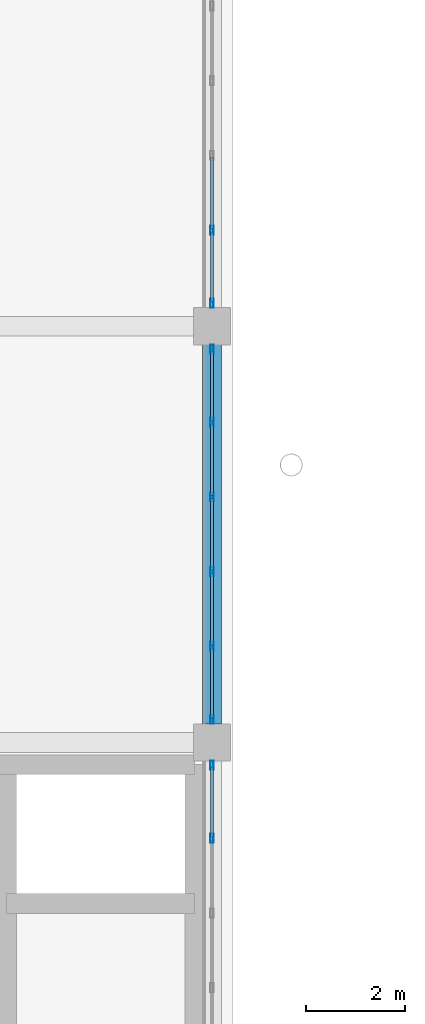
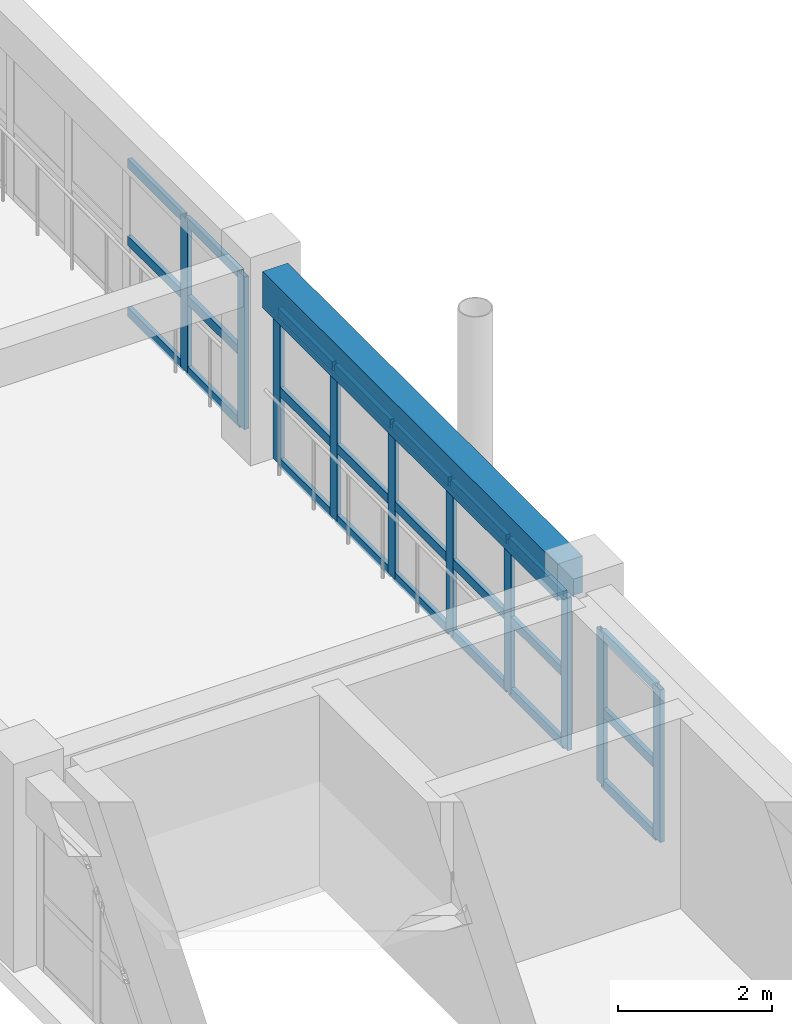
# One storey, part 132 of 200: 34 members, 1 beam, 3 elements without a shape of their own.
"""IFC4 building model written with IfcOpenShell, lengths in metres."""

from ifc_helpers import new_model, si_unit, direction, frame, origin, origin_2d, place, context, subcontext, project, spatial, rectangle, hollow_rectangle, extrude, material, layer, layer_set, material_profile, profile_set, type_object, element, aggregate, save


model = new_model("IFC4")

# Units and contexts
model_context = context("Model", 3, precision=1e-05, world=origin(), true_north=direction((0.0, 1.0)))
body_context = subcontext(model_context, "Body", "Model", "MODEL_VIEW")
ifc_project = project(units=[si_unit("LENGTHUNIT", "METRE"), si_unit("AREAUNIT", "SQUARE_METRE"), si_unit("VOLUMEUNIT", "CUBIC_METRE"), si_unit("PLANEANGLEUNIT", "RADIAN"), si_unit("MASSUNIT", "GRAM", prefix="KILO")], contexts=[model_context])

# Site, building, storey
site_placement = place(None, origin())
site = spatial("IfcSite", under=ifc_project, at=site_placement, CompositionType="ELEMENT")
building_placement = place(site_placement, origin())
building = spatial("IfcBuilding", under=site, at=building_placement, Name="Trelvath General Hospital", CompositionType="ELEMENT")
storey_placement = place(building_placement, frame((0.0, 0.0, 4.800048828125)))
storey = spatial("IfcBuildingStorey", under=building, at=storey_placement, Name="L01", CompositionType="ELEMENT", Elevation=4.800048828125)

# Beam
ifc_material_1 = material(Name="Concrete C35/45", Category="concrete")
ifc_material_profile_1 = material_profile(ifc_material_1, rectangle(XDim=0.3798828125, YDim=0.580078125, at=origin_2d()), Name="RCB380x580")
ifc_profile_set_1 = profile_set([ifc_material_profile_1], Name="Concrete C35/45")
beam_type = type_object("IfcBeamType", Name="Beam RC380x580", PredefinedType="BEAM", material=ifc_profile_set_1)
beam_placement = place(storey_placement, frame((142.800048828125, 33.969970703125, 2.72998046875), z_axis=(0.0, 1.0, 0.0), x_axis=(-1.0, 0.0, 0.0)))
element("IfcBeam", 1, at=beam_placement, inside=storey, type_object=beam_type, Name="Grid Beam BY-117E", PredefinedType="BEAM", context=body_context, shape_type="SweptSolid", body=[
    extrude(rectangle(XDim=0.3798828125, YDim=0.580078125, at=origin_2d()), origin(), (0.0, 0.0, 1.0), 7.659912109375),
])

# Curtain wall, members
ifc_material_2 = material(Name="Anodised aluminium and low-E glass", Category="aluminium")
ifc_layer = layer(ifc_material_2, 0.179931640625)
ifc_layer_set = layer_set([ifc_layer], Name="Anodised aluminium and low-E glass")
curtain_wall_type = type_object("IfcCurtainWallType", Name="CW Facade 754 242 18", PredefinedType="USERDEFINED", material=ifc_layer_set)
curtain_wall_1_placement = place(storey_placement, origin())
curtain_wall_1 = element("IfcCurtainWall", 2, at=curtain_wall_1_placement, inside=storey, type_object=curtain_wall_type, Name="Facade Curtain Wall CW-021", ObjectType="Unitised Glazed Curtain Wall", PredefinedType="USERDEFINED")
ifc_material_3 = material(Name="Anodised aluminium", Category="aluminium")
ifc_material_profile_2 = material_profile(ifc_material_3, hollow_rectangle(XDim=0.06494140625, YDim=0.179931640625, WallThickness=0.0048828125, at=origin_2d()), Name="RHS65x180x5")
ifc_profile_set_2 = profile_set([ifc_material_profile_2], Name="Anodised aluminium")
member_type_1 = type_object("IfcMemberType", Name="CurtainMullion 65x180", PredefinedType="MULLION", material=ifc_profile_set_2)
member_1_placement = place(storey_placement, frame((142.800048828125, 33.137451171875, 0.0), z_axis=(0.0, 0.0, 1.0), x_axis=(1.0, 0.0, 0.0)))
member_1 = element("IfcMember", 3, at=member_1_placement, type_object=member_type_1, Name="CW-021 mullion 1", PredefinedType="MULLION", context=body_context, shape_type="SweptSolid", body=[
    extrude(hollow_rectangle(XDim=0.06494140625, YDim=0.179931640625, WallThickness=0.0048828125, at=origin_2d()), origin(), (0.0, 0.0, 1.0), 2.419921875),
])
member_2_placement = place(storey_placement, frame((142.800048828125, 31.662109375, 0.0), z_axis=(0.0, 0.0, 1.0), x_axis=(1.0, 0.0, 0.0)))
member_2 = element("IfcMember", 4, at=member_2_placement, type_object=member_type_1, Name="CW-021 mullion 2", PredefinedType="MULLION", context=body_context, shape_type="SweptSolid", body=[
    extrude(hollow_rectangle(XDim=0.06494140625, YDim=0.179931640625, WallThickness=0.0048828125, at=origin_2d()), origin(), (0.0, 0.0, 1.0), 2.419921875),
])

curtain_wall_2_placement = place(storey_placement, origin())
curtain_wall_2 = element("IfcCurtainWall", 5, at=curtain_wall_2_placement, inside=storey, type_object=curtain_wall_type, Name="Facade Curtain Wall CW-023", ObjectType="Unitised Glazed Curtain Wall", PredefinedType="USERDEFINED")
member_3_placement = place(storey_placement, frame((142.800048828125, 41.53759765625, 0.0), z_axis=(0.0, 0.0, 1.0), x_axis=(1.0, 0.0, 0.0)))
member_3 = element("IfcMember", 6, at=member_3_placement, type_object=member_type_1, Name="CW-023 mullion 1", PredefinedType="MULLION", context=body_context, shape_type="SweptSolid", body=[
    extrude(hollow_rectangle(XDim=0.06494140625, YDim=0.179931640625, WallThickness=0.0048828125, at=origin_2d()), origin(), (0.0, 0.0, 1.0), 2.419921875),
])
member_4_placement = place(storey_placement, frame((142.800048828125, 40.06201171875, 0.0), z_axis=(0.0, 0.0, 1.0), x_axis=(1.0, 0.0, 0.0)))
member_4 = element("IfcMember", 7, at=member_4_placement, type_object=member_type_1, Name="CW-023 mullion 2", PredefinedType="MULLION", context=body_context, shape_type="SweptSolid", body=[
    extrude(hollow_rectangle(XDim=0.06494140625, YDim=0.179931640625, WallThickness=0.0048828125, at=origin_2d()), origin(), (0.0, 0.0, 1.0), 2.419921875),
])
member_5_placement = place(storey_placement, frame((142.800048828125, 38.553955078125, 0.0), z_axis=(0.0, 0.0, 1.0), x_axis=(1.0, 0.0, 0.0)))
member_5 = element("IfcMember", 8, at=member_5_placement, type_object=member_type_1, Name="CW-023 mullion 3", PredefinedType="MULLION", context=body_context, shape_type="SweptSolid", body=[
    extrude(hollow_rectangle(XDim=0.06494140625, YDim=0.179931640625, WallThickness=0.0048828125, at=origin_2d()), origin(), (0.0, 0.0, 1.0), 2.419921875),
])
member_6_placement = place(storey_placement, frame((142.800048828125, 37.0458984375, 0.0), z_axis=(0.0, 0.0, 1.0), x_axis=(1.0, 0.0, 0.0)))
member_6 = element("IfcMember", 9, at=member_6_placement, type_object=member_type_1, Name="CW-023 mullion 4", PredefinedType="MULLION", context=body_context, shape_type="SweptSolid", body=[
    extrude(hollow_rectangle(XDim=0.06494140625, YDim=0.179931640625, WallThickness=0.0048828125, at=origin_2d()), origin(), (0.0, 0.0, 1.0), 2.419921875),
])
member_7_placement = place(storey_placement, frame((142.800048828125, 35.5380859375, 0.0), z_axis=(0.0, 0.0, 1.0), x_axis=(1.0, 0.0, 0.0)))
member_7 = element("IfcMember", 10, at=member_7_placement, type_object=member_type_1, Name="CW-023 mullion 5", PredefinedType="MULLION", context=body_context, shape_type="SweptSolid", body=[
    extrude(hollow_rectangle(XDim=0.06494140625, YDim=0.179931640625, WallThickness=0.0048828125, at=origin_2d()), origin(), (0.0, 0.0, 1.0), 2.419921875),
])
member_8_placement = place(storey_placement, frame((142.800048828125, 34.0625, 0.0), z_axis=(0.0, 0.0, 1.0), x_axis=(1.0, 0.0, 0.0)))
member_8 = element("IfcMember", 11, at=member_8_placement, type_object=member_type_1, Name="CW-023 mullion 6", PredefinedType="MULLION", context=body_context, shape_type="SweptSolid", body=[
    extrude(hollow_rectangle(XDim=0.06494140625, YDim=0.179931640625, WallThickness=0.0048828125, at=origin_2d()), origin(), (0.0, 0.0, 1.0), 2.419921875),
])

curtain_wall_3_placement = place(storey_placement, origin())
curtain_wall_3 = element("IfcCurtainWall", 12, at=curtain_wall_3_placement, inside=storey, type_object=curtain_wall_type, Name="Facade Curtain Wall CW-025", ObjectType="Unitised Glazed Curtain Wall", PredefinedType="USERDEFINED")
member_9_placement = place(storey_placement, frame((142.800048828125, 43.93798828125, 0.0), z_axis=(0.0, 0.0, 1.0), x_axis=(1.0, 0.0, 0.0)))
member_9 = element("IfcMember", 13, at=member_9_placement, type_object=member_type_1, Name="CW-025 mullion 5", PredefinedType="MULLION", context=body_context, shape_type="SweptSolid", body=[
    extrude(hollow_rectangle(XDim=0.06494140625, YDim=0.179931640625, WallThickness=0.0048828125, at=origin_2d()), origin(), (0.0, 0.0, 1.0), 2.419921875),
])
member_10_placement = place(storey_placement, frame((142.800048828125, 42.46240234375, 0.0), z_axis=(0.0, 0.0, 1.0), x_axis=(1.0, 0.0, 0.0)))
member_10 = element("IfcMember", 14, at=member_10_placement, type_object=member_type_1, Name="CW-025 mullion 6", PredefinedType="MULLION", context=body_context, shape_type="SweptSolid", body=[
    extrude(hollow_rectangle(XDim=0.06494140625, YDim=0.179931640625, WallThickness=0.0048828125, at=origin_2d()), origin(), (0.0, 0.0, 1.0), 2.419921875),
])

# Member
ifc_material_4 = material(Name="Anodised aluminium", Category="aluminium")
ifc_material_profile_3 = material_profile(ifc_material_4, hollow_rectangle(XDim=0.06494140625, YDim=0.14501953125, WallThickness=0.00390625, at=origin_2d()), Name="RHS65x145x4")
ifc_profile_set_3 = profile_set([ifc_material_profile_3], Name="Anodised aluminium")
member_type_2 = type_object("IfcMemberType", Name="CurtainTransom 65x145", PredefinedType="USERDEFINED", material=ifc_profile_set_3)
member_11_placement = place(storey_placement, frame((142.800048828125, 33.10498046875, 0.032470703125), z_axis=(0.0, -1.0, 0.0), x_axis=(1.0, 0.0, 0.0)))
member_11 = element("IfcMember", 15, at=member_11_placement, type_object=member_type_2, Name="CW-021 transom 1.1", ObjectType="TRANSOM", PredefinedType="USERDEFINED", context=body_context, shape_type="SweptSolid", body=[
    extrude(hollow_rectangle(XDim=0.06494140625, YDim=0.14501953125, WallThickness=0.00390625, at=origin_2d()), origin(), (0.0, 0.0, 1.0), 1.410400390625),
])

member_12_placement = place(storey_placement, frame((142.800048828125, 33.10498046875, 1.161865234375), z_axis=(0.0, -1.0, 0.0), x_axis=(1.0, 0.0, 0.0)))
member_12 = element("IfcMember", 16, at=member_12_placement, type_object=member_type_2, Name="CW-021 transom 1.2", ObjectType="TRANSOM", PredefinedType="USERDEFINED", context=body_context, shape_type="SweptSolid", body=[
    extrude(hollow_rectangle(XDim=0.06494140625, YDim=0.14501953125, WallThickness=0.00390625, at=origin_2d()), origin(), (0.0, 0.0, 1.0), 1.410400390625),
])

member_13_placement = place(storey_placement, frame((142.800048828125, 33.10498046875, 2.387451171875), z_axis=(0.0, -1.0, 0.0), x_axis=(1.0, 0.0, 0.0)))
member_13 = element("IfcMember", 17, at=member_13_placement, type_object=member_type_2, Name="CW-021 transom 1.3", ObjectType="TRANSOM", PredefinedType="USERDEFINED", context=body_context, shape_type="SweptSolid", body=[
    extrude(hollow_rectangle(XDim=0.06494140625, YDim=0.14501953125, WallThickness=0.00390625, at=origin_2d()), origin(), (0.0, 0.0, 1.0), 1.410400390625),
])

aggregate(curtain_wall_1, [member_1, member_2, member_11, member_12, member_13])

member_14_placement = place(storey_placement, frame((142.800048828125, 41.5048828125, 0.032470703125), z_axis=(0.0, -1.0, 0.0), x_axis=(1.0, 0.0, 0.0)))
member_14 = element("IfcMember", 18, at=member_14_placement, type_object=member_type_2, Name="CW-023 transom 1.1", ObjectType="TRANSOM", PredefinedType="USERDEFINED", context=body_context, shape_type="SweptSolid", body=[
    extrude(hollow_rectangle(XDim=0.06494140625, YDim=0.14501953125, WallThickness=0.00390625, at=origin_2d()), origin(), (0.0, 0.0, 1.0), 1.410400390625),
])

member_15_placement = place(storey_placement, frame((142.800048828125, 41.5048828125, 1.161865234375), z_axis=(0.0, -1.0, 0.0), x_axis=(1.0, 0.0, 0.0)))
member_15 = element("IfcMember", 19, at=member_15_placement, type_object=member_type_2, Name="CW-023 transom 1.2", ObjectType="TRANSOM", PredefinedType="USERDEFINED", context=body_context, shape_type="SweptSolid", body=[
    extrude(hollow_rectangle(XDim=0.06494140625, YDim=0.14501953125, WallThickness=0.00390625, at=origin_2d()), origin(), (0.0, 0.0, 1.0), 1.410400390625),
])

member_16_placement = place(storey_placement, frame((142.800048828125, 41.5048828125, 2.387451171875), z_axis=(0.0, -1.0, 0.0), x_axis=(1.0, 0.0, 0.0)))
member_16 = element("IfcMember", 20, at=member_16_placement, type_object=member_type_2, Name="CW-023 transom 1.3", ObjectType="TRANSOM", PredefinedType="USERDEFINED", context=body_context, shape_type="SweptSolid", body=[
    extrude(hollow_rectangle(XDim=0.06494140625, YDim=0.14501953125, WallThickness=0.00390625, at=origin_2d()), origin(), (0.0, 0.0, 1.0), 1.410400390625),
])

member_17_placement = place(storey_placement, frame((142.800048828125, 40.029541015625, 0.032470703125), z_axis=(0.0, -1.0, 0.0), x_axis=(1.0, 0.0, 0.0)))
member_17 = element("IfcMember", 21, at=member_17_placement, type_object=member_type_2, Name="CW-023 transom 2.1", ObjectType="TRANSOM", PredefinedType="USERDEFINED", context=body_context, shape_type="SweptSolid", body=[
    extrude(hollow_rectangle(XDim=0.06494140625, YDim=0.14501953125, WallThickness=0.00390625, at=origin_2d()), origin(), (0.0, 0.0, 1.0), 1.443115234375),
])

member_18_placement = place(storey_placement, frame((142.800048828125, 40.029541015625, 1.161865234375), z_axis=(0.0, -1.0, 0.0), x_axis=(1.0, 0.0, 0.0)))
member_18 = element("IfcMember", 22, at=member_18_placement, type_object=member_type_2, Name="CW-023 transom 2.2", ObjectType="TRANSOM", PredefinedType="USERDEFINED", context=body_context, shape_type="SweptSolid", body=[
    extrude(hollow_rectangle(XDim=0.06494140625, YDim=0.14501953125, WallThickness=0.00390625, at=origin_2d()), origin(), (0.0, 0.0, 1.0), 1.443115234375),
])

member_19_placement = place(storey_placement, frame((142.800048828125, 40.029541015625, 2.387451171875), z_axis=(0.0, -1.0, 0.0), x_axis=(1.0, 0.0, 0.0)))
member_19 = element("IfcMember", 23, at=member_19_placement, type_object=member_type_2, Name="CW-023 transom 2.3", ObjectType="TRANSOM", PredefinedType="USERDEFINED", context=body_context, shape_type="SweptSolid", body=[
    extrude(hollow_rectangle(XDim=0.06494140625, YDim=0.14501953125, WallThickness=0.00390625, at=origin_2d()), origin(), (0.0, 0.0, 1.0), 1.443115234375),
])

member_20_placement = place(storey_placement, frame((142.800048828125, 38.521484375, 0.032470703125), z_axis=(0.0, -1.0, 0.0), x_axis=(1.0, 0.0, 0.0)))
member_20 = element("IfcMember", 24, at=member_20_placement, type_object=member_type_2, Name="CW-023 transom 3.1", ObjectType="TRANSOM", PredefinedType="USERDEFINED", context=body_context, shape_type="SweptSolid", body=[
    extrude(hollow_rectangle(XDim=0.06494140625, YDim=0.14501953125, WallThickness=0.00390625, at=origin_2d()), origin(), (0.0, 0.0, 1.0), 1.44287109375),
])

member_21_placement = place(storey_placement, frame((142.800048828125, 38.521484375, 1.161865234375), z_axis=(0.0, -1.0, 0.0), x_axis=(1.0, 0.0, 0.0)))
member_21 = element("IfcMember", 25, at=member_21_placement, type_object=member_type_2, Name="CW-023 transom 3.2", ObjectType="TRANSOM", PredefinedType="USERDEFINED", context=body_context, shape_type="SweptSolid", body=[
    extrude(hollow_rectangle(XDim=0.06494140625, YDim=0.14501953125, WallThickness=0.00390625, at=origin_2d()), origin(), (0.0, 0.0, 1.0), 1.44287109375),
])

member_22_placement = place(storey_placement, frame((142.800048828125, 38.521484375, 2.387451171875), z_axis=(0.0, -1.0, 0.0), x_axis=(1.0, 0.0, 0.0)))
member_22 = element("IfcMember", 26, at=member_22_placement, type_object=member_type_2, Name="CW-023 transom 3.3", ObjectType="TRANSOM", PredefinedType="USERDEFINED", context=body_context, shape_type="SweptSolid", body=[
    extrude(hollow_rectangle(XDim=0.06494140625, YDim=0.14501953125, WallThickness=0.00390625, at=origin_2d()), origin(), (0.0, 0.0, 1.0), 1.44287109375),
])

member_23_placement = place(storey_placement, frame((142.800048828125, 37.013427734375, 0.032470703125), z_axis=(0.0, -1.0, 0.0), x_axis=(1.0, 0.0, 0.0)))
member_23 = element("IfcMember", 27, at=member_23_placement, type_object=member_type_2, Name="CW-023 transom 4.1", ObjectType="TRANSOM", PredefinedType="USERDEFINED", context=body_context, shape_type="SweptSolid", body=[
    extrude(hollow_rectangle(XDim=0.06494140625, YDim=0.14501953125, WallThickness=0.00390625, at=origin_2d()), origin(), (0.0, 0.0, 1.0), 1.44287109375),
])

member_24_placement = place(storey_placement, frame((142.800048828125, 37.013427734375, 1.161865234375), z_axis=(0.0, -1.0, 0.0), x_axis=(1.0, 0.0, 0.0)))
member_24 = element("IfcMember", 28, at=member_24_placement, type_object=member_type_2, Name="CW-023 transom 4.2", ObjectType="TRANSOM", PredefinedType="USERDEFINED", context=body_context, shape_type="SweptSolid", body=[
    extrude(hollow_rectangle(XDim=0.06494140625, YDim=0.14501953125, WallThickness=0.00390625, at=origin_2d()), origin(), (0.0, 0.0, 1.0), 1.44287109375),
])

member_25_placement = place(storey_placement, frame((142.800048828125, 37.013427734375, 2.387451171875), z_axis=(0.0, -1.0, 0.0), x_axis=(1.0, 0.0, 0.0)))
member_25 = element("IfcMember", 29, at=member_25_placement, type_object=member_type_2, Name="CW-023 transom 4.3", ObjectType="TRANSOM", PredefinedType="USERDEFINED", context=body_context, shape_type="SweptSolid", body=[
    extrude(hollow_rectangle(XDim=0.06494140625, YDim=0.14501953125, WallThickness=0.00390625, at=origin_2d()), origin(), (0.0, 0.0, 1.0), 1.44287109375),
])

member_26_placement = place(storey_placement, frame((142.800048828125, 35.505615234375, 0.032470703125), z_axis=(0.0, -1.0, 0.0), x_axis=(1.0, 0.0, 0.0)))
member_26 = element("IfcMember", 30, at=member_26_placement, type_object=member_type_2, Name="CW-023 transom 5.1", ObjectType="TRANSOM", PredefinedType="USERDEFINED", context=body_context, shape_type="SweptSolid", body=[
    extrude(hollow_rectangle(XDim=0.06494140625, YDim=0.14501953125, WallThickness=0.00390625, at=origin_2d()), origin(), (0.0, 0.0, 1.0), 1.41064453125),
])

member_27_placement = place(storey_placement, frame((142.800048828125, 35.505615234375, 1.161865234375), z_axis=(0.0, -1.0, 0.0), x_axis=(1.0, 0.0, 0.0)))
member_27 = element("IfcMember", 31, at=member_27_placement, type_object=member_type_2, Name="CW-023 transom 5.2", ObjectType="TRANSOM", PredefinedType="USERDEFINED", context=body_context, shape_type="SweptSolid", body=[
    extrude(hollow_rectangle(XDim=0.06494140625, YDim=0.14501953125, WallThickness=0.00390625, at=origin_2d()), origin(), (0.0, 0.0, 1.0), 1.41064453125),
])

member_28_placement = place(storey_placement, frame((142.800048828125, 35.505615234375, 2.387451171875), z_axis=(0.0, -1.0, 0.0), x_axis=(1.0, 0.0, 0.0)))
member_28 = element("IfcMember", 32, at=member_28_placement, type_object=member_type_2, Name="CW-023 transom 5.3", ObjectType="TRANSOM", PredefinedType="USERDEFINED", context=body_context, shape_type="SweptSolid", body=[
    extrude(hollow_rectangle(XDim=0.06494140625, YDim=0.14501953125, WallThickness=0.00390625, at=origin_2d()), origin(), (0.0, 0.0, 1.0), 1.41064453125),
])

aggregate(curtain_wall_2, [member_3, member_4, member_5, member_6, member_7, member_8, member_14, member_15, member_16, member_17, member_18, member_19, member_20, member_21, member_22, member_23, member_24, member_25, member_26, member_27, member_28])

member_29_placement = place(storey_placement, frame((142.800048828125, 45.41357421875, 0.032470703125), z_axis=(0.0, -1.0, 0.0), x_axis=(1.0, 0.0, 0.0)))
member_29 = element("IfcMember", 33, at=member_29_placement, type_object=member_type_2, Name="CW-025 transom 4.1", ObjectType="TRANSOM", PredefinedType="USERDEFINED", context=body_context, shape_type="SweptSolid", body=[
    extrude(hollow_rectangle(XDim=0.06494140625, YDim=0.14501953125, WallThickness=0.00390625, at=origin_2d()), origin(), (0.0, 0.0, 1.0), 1.443115234375),
])

member_30_placement = place(storey_placement, frame((142.800048828125, 45.41357421875, 1.161865234375), z_axis=(0.0, -1.0, 0.0), x_axis=(1.0, 0.0, 0.0)))
member_30 = element("IfcMember", 34, at=member_30_placement, type_object=member_type_2, Name="CW-025 transom 4.2", ObjectType="TRANSOM", PredefinedType="USERDEFINED", context=body_context, shape_type="SweptSolid", body=[
    extrude(hollow_rectangle(XDim=0.06494140625, YDim=0.14501953125, WallThickness=0.00390625, at=origin_2d()), origin(), (0.0, 0.0, 1.0), 1.443115234375),
])

member_31_placement = place(storey_placement, frame((142.800048828125, 45.41357421875, 2.387451171875), z_axis=(0.0, -1.0, 0.0), x_axis=(1.0, 0.0, 0.0)))
member_31 = element("IfcMember", 35, at=member_31_placement, type_object=member_type_2, Name="CW-025 transom 4.3", ObjectType="TRANSOM", PredefinedType="USERDEFINED", context=body_context, shape_type="SweptSolid", body=[
    extrude(hollow_rectangle(XDim=0.06494140625, YDim=0.14501953125, WallThickness=0.00390625, at=origin_2d()), origin(), (0.0, 0.0, 1.0), 1.443115234375),
])

member_32_placement = place(storey_placement, frame((142.800048828125, 43.905517578125, 0.032470703125), z_axis=(0.0, -1.0, 0.0), x_axis=(1.0, 0.0, 0.0)))
member_32 = element("IfcMember", 36, at=member_32_placement, type_object=member_type_2, Name="CW-025 transom 5.1", ObjectType="TRANSOM", PredefinedType="USERDEFINED", context=body_context, shape_type="SweptSolid", body=[
    extrude(hollow_rectangle(XDim=0.06494140625, YDim=0.14501953125, WallThickness=0.00390625, at=origin_2d()), origin(), (0.0, 0.0, 1.0), 1.410400390625),
])

member_33_placement = place(storey_placement, frame((142.800048828125, 43.905517578125, 1.161865234375), z_axis=(0.0, -1.0, 0.0), x_axis=(1.0, 0.0, 0.0)))
member_33 = element("IfcMember", 37, at=member_33_placement, type_object=member_type_2, Name="CW-025 transom 5.2", ObjectType="TRANSOM", PredefinedType="USERDEFINED", context=body_context, shape_type="SweptSolid", body=[
    extrude(hollow_rectangle(XDim=0.06494140625, YDim=0.14501953125, WallThickness=0.00390625, at=origin_2d()), origin(), (0.0, 0.0, 1.0), 1.410400390625),
])

member_34_placement = place(storey_placement, frame((142.800048828125, 43.905517578125, 2.387451171875), z_axis=(0.0, -1.0, 0.0), x_axis=(1.0, 0.0, 0.0)))
member_34 = element("IfcMember", 38, at=member_34_placement, type_object=member_type_2, Name="CW-025 transom 5.3", ObjectType="TRANSOM", PredefinedType="USERDEFINED", context=body_context, shape_type="SweptSolid", body=[
    extrude(hollow_rectangle(XDim=0.06494140625, YDim=0.14501953125, WallThickness=0.00390625, at=origin_2d()), origin(), (0.0, 0.0, 1.0), 1.410400390625),
])

aggregate(curtain_wall_3, [member_9, member_10, member_29, member_30, member_31, member_32, member_33, member_34])

save(model, "model.ifc")
